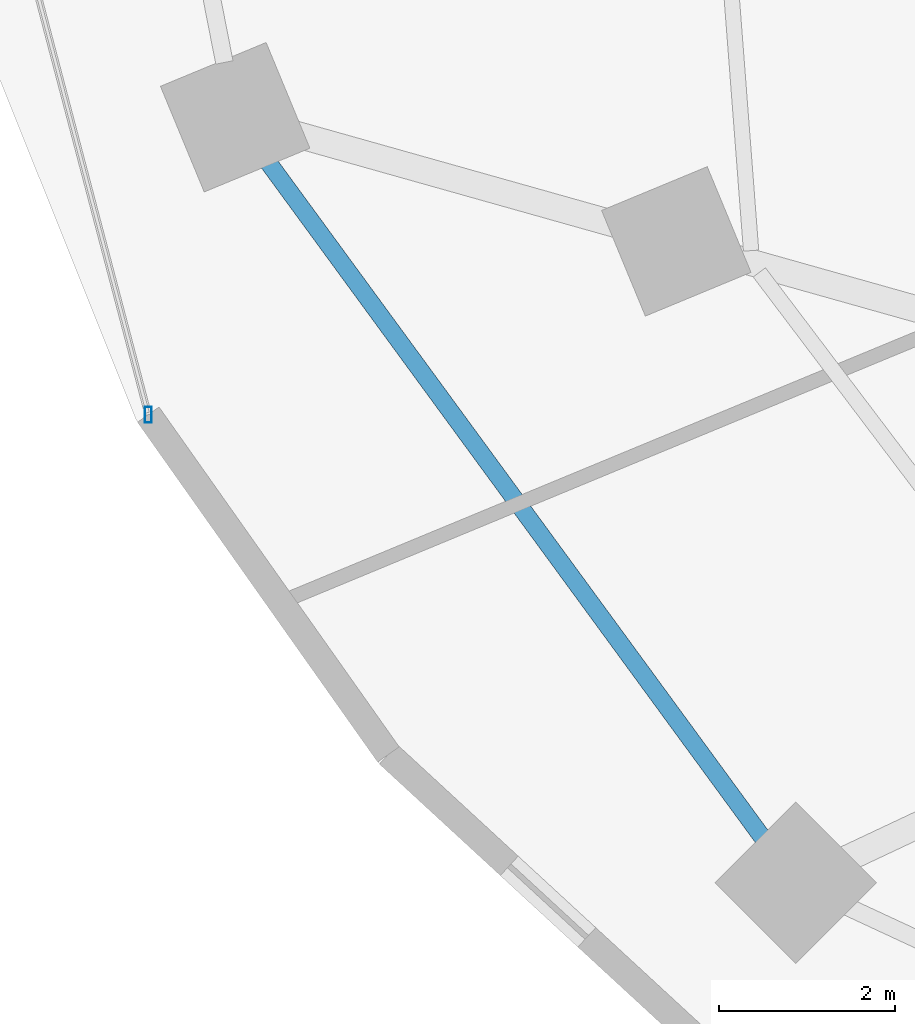
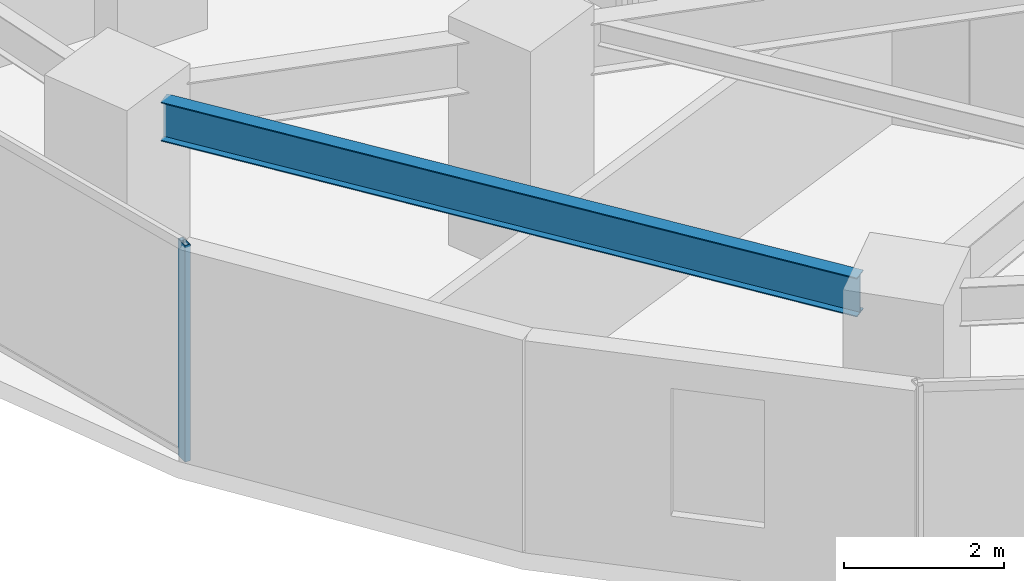
# One storey, part 3 of 36: 1 beam, 1 member, 1 element without a shape of its own.
"""IFC4 building model written with IfcOpenShell, lengths in metres."""

from ifc_helpers import new_model, si_unit, direction, frame, origin, origin_2d, place, context, subcontext, project, spatial, hollow_rectangle, i_section, extrude, material, material_profile, profile_set, type_object, element, aggregate, save


model = new_model("IFC4")

# Units and contexts
model_context = context("Model", 3, precision=1e-05, world=origin(), true_north=direction((0.0, 1.0)))
body_context = subcontext(model_context, "Body", "Model", "MODEL_VIEW")
ifc_project = project(units=[si_unit("LENGTHUNIT", "METRE"), si_unit("AREAUNIT", "SQUARE_METRE"), si_unit("VOLUMEUNIT", "CUBIC_METRE"), si_unit("PLANEANGLEUNIT", "RADIAN"), si_unit("MASSUNIT", "GRAM", prefix="KILO")], contexts=[model_context])

# Site, building, storey
site_placement = place(None, origin())
site = spatial("IfcSite", under=ifc_project, at=site_placement, CompositionType="ELEMENT")
building_placement = place(site_placement, origin())
building = spatial("IfcBuilding", under=site, at=building_placement, Name="Vorneva Point Tower", CompositionType="ELEMENT")
storey_placement = place(building_placement, frame((0.0, 0.0, 24.0)))
storey = spatial("IfcBuildingStorey", under=building, at=storey_placement, Name="L05", CompositionType="ELEMENT", Elevation=24.0)

# Beam
ifc_material_1 = material(Name="Steel S355", Category="steel")
ifc_material_profile_1 = material_profile(ifc_material_1, i_section(OverallWidth=0.198974609375, OverallDepth=0.595947265625, WebThickness=0.010009765625, FlangeThickness=0.014892578125, at=origin_2d()), Name="60B1")
ifc_profile_set_1 = profile_set([ifc_material_profile_1], Name="Steel S355")
beam_type = type_object("IfcBeamType", Name="BM-SPN-60B1", PredefinedType="SPANDREL", material=ifc_profile_set_1)
beam_placement = place(storey_placement, frame((12.063232421875, 20.317138671875, 2.94189453125), z_axis=(0.59073079975, -0.806868714369, 0.0), x_axis=(0.806868714369, 0.59073079975, 0.0)))
element("IfcBeam", 1, at=beam_placement, inside=storey, type_object=beam_type, Name="L05 Perimeter Spandrel Ring Beam 10", PredefinedType="SPANDREL", context=body_context, shape_type="SweptSolid", body=[
    extrude(i_section(OverallWidth=0.198974609375, OverallDepth=0.595947265625, WebThickness=0.010009765625, FlangeThickness=0.014892578125, at=origin_2d()), origin(), (0.0, 0.0, 1.0), 9.518798828125),
])

# Curtain wall, member
ifc_material_2 = material(Name="Pale anodised aluminium", Category="aluminium")
curtain_wall_type = type_object("IfcCurtainWallType", Name="CW-HTL-SYS", PredefinedType="NOTDEFINED", material=ifc_material_2)
curtain_wall_placement = place(storey_placement, origin())
curtain_wall = element("IfcCurtainWall", 2, at=curtain_wall_placement, inside=storey, type_object=curtain_wall_type, Name="L05 Unitised Curtain Wall CW-L05-R03", PredefinedType="NOTDEFINED")
ifc_material_profile_2 = material_profile(ifc_material_2, hollow_rectangle(XDim=0.074951171875, YDim=0.179931640625, WallThickness=0.00390625, at=origin_2d()), Name="AL-MUL 180x75x4")
ifc_profile_set_2 = profile_set([ifc_material_profile_2], Name="Pale anodised aluminium")
member_type = type_object("IfcMemberType", Name="CW-MUL-180", PredefinedType="MULLION", material=ifc_profile_set_2)
member_placement = place(storey_placement, frame((10.699462890625, 17.447021484375, -0.0400390625), z_axis=(0.0, 0.0, 1.0), x_axis=(1.0, 0.0, 0.0)))
member = element("IfcMember", 3, at=member_placement, type_object=member_type, Name="CW-L05-R03 Mullion 04", PredefinedType="MULLION", context=body_context, shape_type="SweptSolid", body=[
    extrude(hollow_rectangle(XDim=0.074951171875, YDim=0.179931640625, WallThickness=0.00390625, at=origin_2d()), origin(), (0.0, 0.0, 1.0), 3.31005859375),
])
aggregate(curtain_wall, [member])

save(model, "model.ifc")
